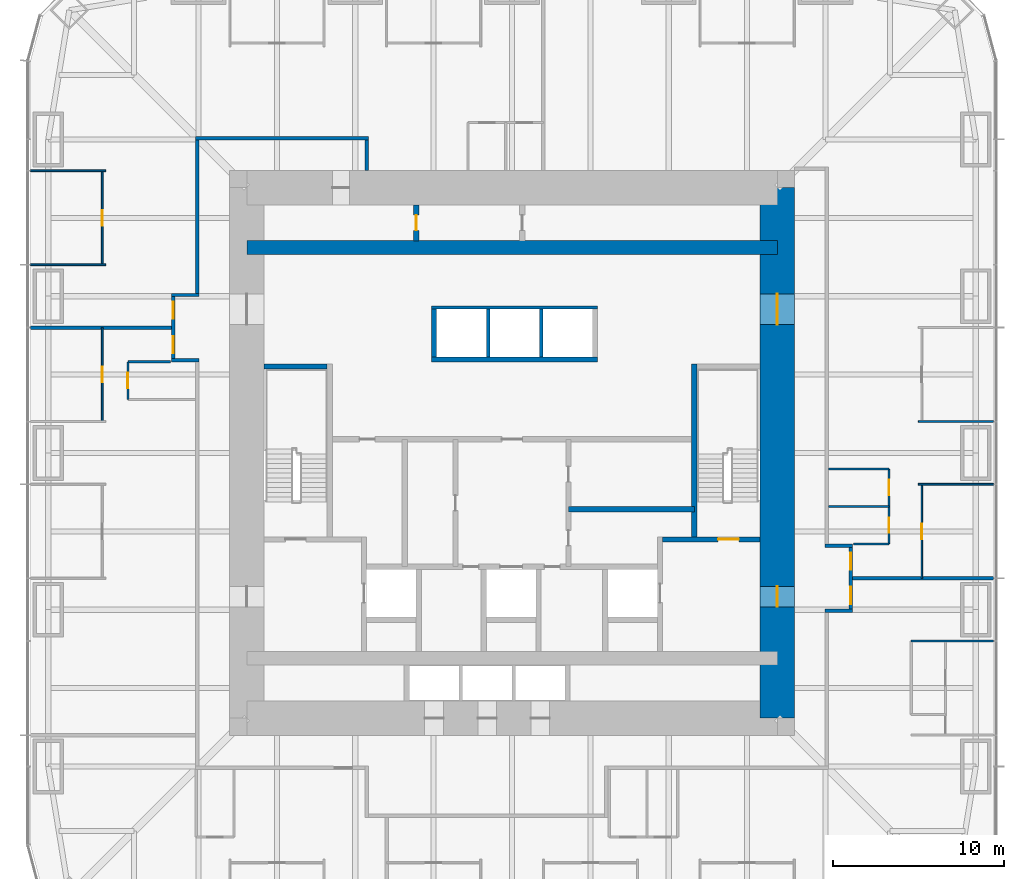
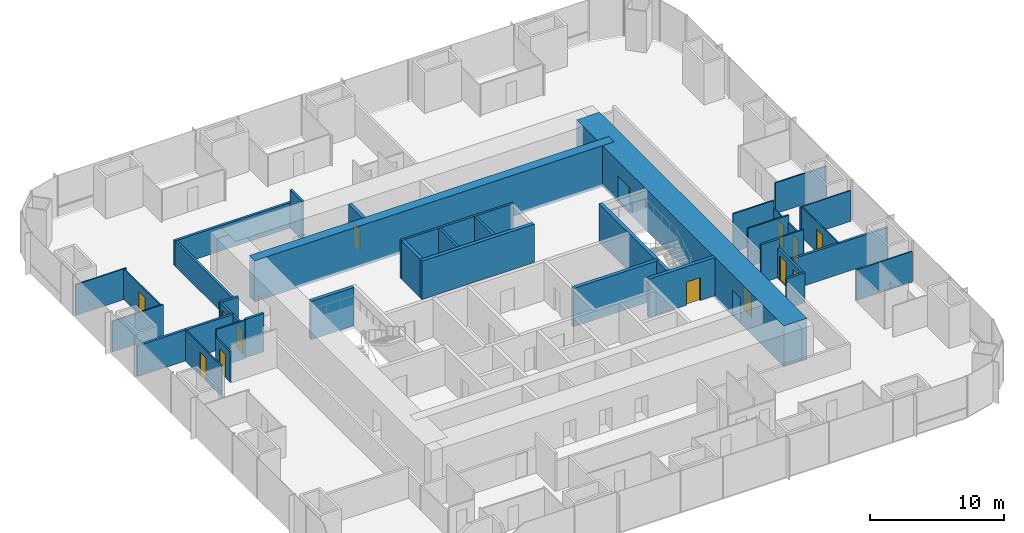
# One storey, part 9 of 11: 37 walls, 14 doors, 14 openings.
"""IFC4 building model written with IfcOpenShell, lengths in metres."""

from ifc_helpers import new_model, si_unit, direction, frame, frame_2d, origin, place, context, subcontext, project, spatial, rectangle, extrude, material, layer, layer_set, type_object, element, fill, save


model = new_model("IFC4")

# Units and contexts
model_context = context("Model", 3, precision=1e-05, world=origin(), true_north=direction((0.0, 1.0)))
body_context = subcontext(model_context, "Body", "Model", "MODEL_VIEW")
ifc_project = project(units=[si_unit("LENGTHUNIT", "METRE"), si_unit("AREAUNIT", "SQUARE_METRE"), si_unit("VOLUMEUNIT", "CUBIC_METRE"), si_unit("PLANEANGLEUNIT", "RADIAN"), si_unit("MASSUNIT", "GRAM", prefix="KILO")], contexts=[model_context])

# Site, building, storey
site_placement = place(None, origin())
site = spatial("IfcSite", under=ifc_project, at=site_placement, CompositionType="ELEMENT")
building_placement = place(site_placement, origin())
building = spatial("IfcBuilding", under=site, at=building_placement, Name="Khuree Lantern Residences", CompositionType="ELEMENT")
storey_placement = place(building_placement, frame((0.0, 0.0, 174.75)))
storey = spatial("IfcBuildingStorey", under=building, at=storey_placement, Name="L44", CompositionType="ELEMENT", Elevation=174.75)

# Wall, openings, doors
ifc_material_1 = material(Name="Moisture-resistant gypsum board on steel studs", Category="steel")
ifc_layer_1 = layer(ifc_material_1, 0.125)
ifc_layer_set_1 = layer_set([ifc_layer_1], Name="BATHROOM WALL BTW125")
wall_type_1 = type_object("IfcWallType", Name="BATHROOM WALL BTW125", PredefinedType="PARTITIONING", material=ifc_layer_set_1)
wall_1_placement = place(storey_placement, frame((22.02978515625, -5.327880859375, 0.0), z_axis=(0.0, 0.0, 1.0), x_axis=(0.0, 1.0, 0.0)))
wall_1 = element("IfcWall", 1, at=wall_1_placement, inside=storey, type_object=wall_type_1, Name="L44 BATHROOM WALL 01", PredefinedType="PARTITIONING", context=body_context, shape_type="SweptSolid", body=[
    extrude(rectangle(XDim=4.39990234375, YDim=0.125, at=frame_2d((2.199951171875, 0.0))), origin(), (0.0, 0.0, 1.0), 2.81005859375),
])
opening_1_placement = place(wall_1_placement, frame((0.64990234375, 0.0, 0.0)))
opening_1 = element("IfcOpeningElement", 2, at=opening_1_placement, cuts=wall_1, Name="Opening 44-026", PredefinedType="OPENING", context=body_context, shape_type="SweptSolid", body=[
    extrude(rectangle(XDim=0.89990234375, YDim=2.10009765625, at=frame_2d((0.449951171875, 1.050048828125))), frame((0.0, 0.072509765625, 0.0), z_axis=(0.0, -1.0, 0.0), x_axis=(1.0, 0.0, 0.0)), (0.0, 0.0, 1.0), 0.14501953125),
])
opening_2_placement = place(wall_1_placement, frame((2.85009765625, 0.0, 0.0)))
opening_2 = element("IfcOpeningElement", 3, at=opening_2_placement, cuts=wall_1, Name="Opening 44-027", PredefinedType="OPENING", context=body_context, shape_type="SweptSolid", body=[
    extrude(rectangle(XDim=0.89990234375, YDim=2.10009765625, at=frame_2d((0.449951171875, 1.050048828125))), frame((0.0, 0.072509765625, 0.0), z_axis=(0.0, -1.0, 0.0), x_axis=(1.0, 0.0, 0.0)), (0.0, 0.0, 1.0), 0.14501953125),
])
ifc_material_2 = material(Name="Timber door leaf in hardwood frame", Category="wood")
door_type_1 = type_object("IfcDoorType", Name="BATHROOM DOOR 900X2100", OperationType="SINGLE_SWING_LEFT", PredefinedType="DOOR", material=ifc_material_2)
door_1_placement = place(opening_1_placement, origin())
door_1 = element("IfcDoor", 4, at=door_1_placement, inside=storey, type_object=door_type_1, Name="Bathroom door 44-026", OperationType="SINGLE_SWING_LEFT", OverallHeight=2.10009765625, OverallWidth=0.89990234375, PredefinedType="DOOR", context=body_context, shape_type="SweptSolid", body=[
    extrude(rectangle(XDim=0.89990234375, YDim=2.10009765625, at=frame_2d((0.449951171875, 1.050048828125))), frame((0.0, 0.02490234375, 0.0), z_axis=(0.0, -1.0, 0.0), x_axis=(1.0, 0.0, 0.0)), (0.0, 0.0, 1.0), 0.050048828125),
])
fill(opening_1, door_1)
door_2_placement = place(opening_2_placement, origin())
door_2 = element("IfcDoor", 5, at=door_2_placement, inside=storey, type_object=door_type_1, Name="Bathroom door 44-027", OperationType="SINGLE_SWING_LEFT", OverallHeight=2.10009765625, OverallWidth=0.89990234375, PredefinedType="DOOR", context=body_context, shape_type="SweptSolid", body=[
    extrude(rectangle(XDim=0.89990234375, YDim=2.10009765625, at=frame_2d((0.449951171875, 1.050048828125))), frame((0.0, 0.02490234375, 0.0), z_axis=(0.0, -1.0, 0.0), x_axis=(1.0, 0.0, 0.0)), (0.0, 0.0, 1.0), 0.050048828125),
])
fill(opening_2, door_2)

# Walls
wall_2_placement = place(storey_placement, frame((19.969970703125, -5.327880859375, 0.0), z_axis=(0.0, 0.0, 1.0), x_axis=(1.0, 0.0, 0.0)))
element("IfcWall", 6, at=wall_2_placement, inside=storey, type_object=wall_type_1, Name="L44 BATHROOM WALL 01", PredefinedType="PARTITIONING", context=body_context, shape_type="SweptSolid", body=[
    extrude(rectangle(XDim=2.059814453125, YDim=0.125, at=frame_2d((1.02978515625, 0.0))), origin(), (0.0, 0.0, 1.0), 3.5),
])
for number, where, z_axis, x_axis, name in (
    (7, (18.5, -3.1279296875, 0.0), (0.0, 0.0, 1.0), (1.0, 0.0, 0.0), "L44 BATHROOM WALL 01"),
    (8, (18.5, -0.927978515625, 0.0), (0.0, 0.0, 1.0), (1.0, 0.0, 0.0), "L44 BATHROOM WALL 01"),
):
    element("IfcWall", number, at=place(storey_placement, frame(where, z_axis=z_axis, x_axis=x_axis)), inside=storey, type_object=wall_type_1, Name=name, PredefinedType="PARTITIONING", context=body_context, shape_type="SweptSolid", body=[
        extrude(rectangle(XDim=3.52978515625, YDim=0.125, at=frame_2d((1.764892578125, 0.0))), origin(), (0.0, 0.0, 1.0), 3.5),
    ])

# Wall, opening, door
wall_3_placement = place(storey_placement, frame((-22.449951171875, 5.327880859375, 0.0), z_axis=(0.0, 0.0, 1.0), x_axis=(0.0, -1.0, 0.0)))
wall_3 = element("IfcWall", 9, at=wall_3_placement, inside=storey, type_object=wall_type_1, Name="L44 BATHROOM WALL 03", PredefinedType="PARTITIONING", context=body_context, shape_type="SweptSolid", body=[
    extrude(rectangle(XDim=2.199951171875, YDim=0.125, at=frame_2d((1.10009765625, 0.0))), origin(), (0.0, 0.0, 1.0), 2.81005859375),
])
opening_3_placement = place(wall_3_placement, frame((0.64990234375, 0.0, 0.0)))
opening_3 = element("IfcOpeningElement", 10, at=opening_3_placement, cuts=wall_3, Name="Opening 44-037", PredefinedType="OPENING", context=body_context, shape_type="SweptSolid", body=[
    extrude(rectangle(XDim=0.89990234375, YDim=2.10009765625, at=frame_2d((0.449951171875, 1.050048828125))), frame((0.0, 0.072509765625, 0.0), z_axis=(0.0, -1.0, 0.0), x_axis=(1.0, 0.0, 0.0)), (0.0, 0.0, 1.0), 0.14501953125),
])
door_3_placement = place(opening_3_placement, origin())
door_3 = element("IfcDoor", 11, at=door_3_placement, inside=storey, type_object=door_type_1, Name="Bathroom door 44-037", OperationType="SINGLE_SWING_LEFT", OverallHeight=2.10009765625, OverallWidth=0.89990234375, PredefinedType="DOOR", context=body_context, shape_type="SweptSolid", body=[
    extrude(rectangle(XDim=0.89990234375, YDim=2.10009765625, at=frame_2d((0.449951171875, 1.050048828125))), frame((0.0, 0.02490234375, 0.0), z_axis=(0.0, -1.0, 0.0), x_axis=(1.0, 0.0, 0.0)), (0.0, 0.0, 1.0), 0.050048828125),
])
fill(opening_3, door_3)

# Walls
wall_4_placement = place(storey_placement, frame((-19.969970703125, 5.327880859375, 0.0), z_axis=(0.0, 0.0, 1.0), x_axis=(-1.0, 0.0, 0.0)))
element("IfcWall", 12, at=wall_4_placement, inside=storey, type_object=wall_type_1, Name="L44 BATHROOM WALL 03", PredefinedType="PARTITIONING", context=body_context, shape_type="SweptSolid", body=[
    extrude(rectangle(XDim=2.47998046875, YDim=0.125, at=frame_2d((1.239990234375, 0.0))), origin(), (0.0, 0.0, 1.0), 3.5),
])
ifc_material_3 = material(Name="Dense concrete blockwork", Category="masonry")
ifc_layer_2 = layer(ifc_material_3, 0.300048828125)
ifc_layer_set_2 = layer_set([ifc_layer_2], Name="CORE PARTITION WALL CPW300 EI 120")
wall_type_2 = type_object("IfcWallType", Name="CORE PARTITION WALL CPW300 EI 120", PredefinedType="PARTITIONING", material=ifc_layer_set_2)
wall_5_placement = place(storey_placement, frame((-4.699951171875, 5.449951171875, 0.0), z_axis=(0.0, 0.0, 1.0), x_axis=(1.0, 0.0, 0.0)))
element("IfcWall", 13, at=wall_5_placement, inside=storey, type_object=wall_type_2, Name="L44 CORE WALL PHS", PredefinedType="PARTITIONING", context=body_context, shape_type="SweptSolid", body=[
    extrude(rectangle(XDim=9.699951171875, YDim=0.300048828125, at=frame_2d((4.85009765625, 0.0))), origin(), (0.0, 0.0, 1.0), 3.5),
])
wall_6_placement = place(storey_placement, frame((-4.550048828125, 5.60009765625, 0.0), z_axis=(0.0, 0.0, 1.0), x_axis=(0.0, 1.0, 0.0)))
element("IfcWall", 14, at=wall_6_placement, inside=storey, type_object=wall_type_2, Name="L44 CORE WALL PHW", PredefinedType="PARTITIONING", context=body_context, shape_type="SweptSolid", body=[
    extrude(rectangle(XDim=2.7998046875, YDim=0.300048828125, at=frame_2d((1.39990234375, 0.0))), origin(), (0.0, 0.0, 1.0), 3.5),
])
wall_7_placement = place(storey_placement, frame((10.64990234375, -3.2880859375, 0.0), z_axis=(0.0, 0.0, 1.0), x_axis=(-1.0, 0.0, 0.0)))
element("IfcWall", 15, at=wall_7_placement, inside=storey, type_object=wall_type_2, Name="L44 CORE WALL EX", PredefinedType="PARTITIONING", context=body_context, shape_type="SweptSolid", body=[
    extrude(rectangle(XDim=7.349853515625, YDim=0.300048828125, at=frame_2d((3.6748046875, 0.0))), origin(), (0.0, 0.0, 1.0), 3.5),
])

# Wall, opening, door
wall_8_placement = place(storey_placement, frame((-5.60009765625, 12.39990234375, 0.0), z_axis=(0.0, 0.0, 1.0), x_axis=(0.0, 1.0, 0.0)))
wall_8 = element("IfcWall", 16, at=wall_8_placement, inside=storey, type_object=wall_type_2, Name="L44 CORE WALL PLX", PredefinedType="PARTITIONING", context=body_context, shape_type="SweptSolid", body=[
    extrude(rectangle(XDim=2.10009765625, YDim=0.300048828125, at=frame_2d((1.050048828125, 0.0))), origin(), (0.0, 0.0, 1.0), 3.5),
])
opening_4_placement = place(wall_8_placement, frame((0.60009765625, 0.0, 0.0)))
opening_4 = element("IfcOpeningElement", 17, at=opening_4_placement, cuts=wall_8, Name="Opening 44-020", PredefinedType="OPENING", context=body_context, shape_type="SweptSolid", body=[
    extrude(rectangle(XDim=0.89990234375, YDim=2.10009765625, at=frame_2d((0.449951171875, 1.050048828125))), frame((0.0, 0.16015625, 0.0), z_axis=(0.0, -1.0, 0.0), x_axis=(1.0, 0.0, 0.0)), (0.0, 0.0, 1.0), 0.320068359375),
])
door_type_2 = type_object("IfcDoorType", Name="DOOR 900X2100", OperationType="SINGLE_SWING_LEFT", PredefinedType="DOOR", material=ifc_material_2)
door_4_placement = place(opening_4_placement, origin())
door_4 = element("IfcDoor", 18, at=door_4_placement, inside=storey, type_object=door_type_2, Name="Maintenance store door 44-020", OperationType="SINGLE_SWING_LEFT", OverallHeight=2.10009765625, OverallWidth=0.89990234375, PredefinedType="DOOR", context=body_context, shape_type="SweptSolid", body=[
    extrude(rectangle(XDim=0.89990234375, YDim=2.10009765625, at=frame_2d((0.449951171875, 1.050048828125))), frame((0.0, 0.02490234375, 0.0), z_axis=(0.0, -1.0, 0.0), x_axis=(1.0, 0.0, 0.0)), (0.0, 0.0, 1.0), 0.050048828125),
])
fill(opening_4, door_4)

# Walls
ifc_material_4 = material(Name="Gypsum board on steel studs", Category="steel")
ifc_layer_3 = layer(ifc_material_4, 0.199951171875)
ifc_layer_set_3 = layer_set([ifc_layer_3], Name="CORRIDOR WALL CRW200 EI 60")
wall_type_3 = type_object("IfcWallType", Name="CORRIDOR WALL CRW200 EI 60", PredefinedType="PARTITIONING", material=ifc_layer_set_3)
wall_9_placement = place(storey_placement, frame((-18.5, 18.39990234375, 0.0), z_axis=(0.0, 0.0, 1.0), x_axis=(1.0, 0.0, 0.0)))
element("IfcWall", 19, at=wall_9_placement, inside=storey, type_object=wall_type_3, Name="L44 CORRIDOR WALL NORTH", PredefinedType="PARTITIONING", context=body_context, shape_type="SweptSolid", body=[
    extrude(rectangle(XDim=10.10009765625, YDim=0.199951171875, at=frame_2d((5.050048828125, 0.0))), origin(), (0.0, 0.0, 1.0), 2.300048828125),
])
wall_10_placement = place(storey_placement, frame((-8.5, 18.300048828125, 0.0), z_axis=(0.0, 0.0, 1.0), x_axis=(0.0, -1.0, 0.0)))
element("IfcWall", 20, at=wall_10_placement, inside=storey, type_object=wall_type_3, Name="L44 NORTH CORRIDOR END WALL", PredefinedType="PARTITIONING", context=body_context, shape_type="SweptSolid", body=[
    extrude(rectangle(XDim=1.800048828125, YDim=0.199951171875, at=frame_2d((0.89990234375, 0.0))), origin(), (0.0, 0.0, 1.0), 3.5),
])
wall_11_placement = place(storey_placement, frame((18.300048828125, -9.22802734375, 0.0), z_axis=(0.0, 0.0, 1.0), x_axis=(1.0, 0.0, 0.0)))
element("IfcWall", 21, at=wall_11_placement, inside=storey, type_object=wall_type_3, Name="L44 CORRIDOR ALCOVE WALL EAST", PredefinedType="PARTITIONING", context=body_context, shape_type="SweptSolid", body=[
    extrude(rectangle(XDim=1.599853515625, YDim=0.199951171875, at=frame_2d((0.7998046875, 0.0))), origin(), (0.0, 0.0, 1.0), 2.699951171875),
])
wall_12_placement = place(storey_placement, frame((18.300048828125, -5.427978515625, 0.0), z_axis=(0.0, 0.0, 1.0), x_axis=(1.0, 0.0, 0.0)))
element("IfcWall", 22, at=wall_12_placement, inside=storey, type_object=wall_type_3, Name="L44 CORRIDOR ALCOVE WALL EAST", PredefinedType="PARTITIONING", context=body_context, shape_type="SweptSolid", body=[
    extrude(rectangle(XDim=1.599853515625, YDim=0.199951171875, at=frame_2d((0.7998046875, 0.0))), origin(), (0.0, 0.0, 1.0), 3.5),
])

# Wall, openings, doors
wall_13_placement = place(storey_placement, frame((19.800048828125, -9.1279296875, 0.0), z_axis=(0.0, 0.0, 1.0), x_axis=(0.0, 1.0, 0.0)))
wall_13 = element("IfcWall", 23, at=wall_13_placement, inside=storey, type_object=wall_type_3, Name="L44 CORRIDOR ALCOVE WALL EAST", PredefinedType="PARTITIONING", context=body_context, shape_type="SweptSolid", body=[
    extrude(rectangle(XDim=3.599853515625, YDim=0.199951171875, at=frame_2d((1.7998046875, 0.0))), origin(), (0.0, 0.0, 1.0), 2.699951171875),
])
opening_5_placement = place(wall_13_placement, frame((2.300048828125, 0.0, 0.0)))
opening_5 = element("IfcOpeningElement", 24, at=opening_5_placement, cuts=wall_13, Name="Opening 44-028", PredefinedType="OPENING", context=body_context, shape_type="SweptSolid", body=[
    extrude(rectangle(XDim=1.0, YDim=2.199951171875, at=frame_2d((0.5, 1.10009765625))), frame((0.0, 0.10986328125, 0.0), z_axis=(0.0, -1.0, 0.0), x_axis=(1.0, 0.0, 0.0)), (0.0, 0.0, 1.0), 0.219970703125),
])
opening_6_placement = place(wall_13_placement, frame((0.300048828125, 0.0, 0.0)))
opening_6 = element("IfcOpeningElement", 25, at=opening_6_placement, cuts=wall_13, Name="Opening 44-049", PredefinedType="OPENING", context=body_context, shape_type="SweptSolid", body=[
    extrude(rectangle(XDim=1.0, YDim=2.199951171875, at=frame_2d((0.5, 1.10009765625))), frame((0.0, 0.10986328125, 0.0), z_axis=(0.0, -1.0, 0.0), x_axis=(1.0, 0.0, 0.0)), (0.0, 0.0, 1.0), 0.219970703125),
])
door_type_3 = type_object("IfcDoorType", Name="APARTMENT ENTRANCE DOOR 1000X2200 EI 30S", OperationType="SINGLE_SWING_LEFT", PredefinedType="DOOR", material=ifc_material_2)
door_5_placement = place(opening_6_placement, origin())
door_5 = element("IfcDoor", 26, at=door_5_placement, inside=storey, type_object=door_type_3, Name="Apartment 05 entrance door 44-049", OperationType="SINGLE_SWING_LEFT", OverallHeight=2.199951171875, OverallWidth=1.0, PredefinedType="DOOR", context=body_context, shape_type="SweptSolid", body=[
    extrude(rectangle(XDim=1.0, YDim=2.199951171875, at=frame_2d((0.5, 1.10009765625))), frame((0.0, 0.02490234375, 0.0), z_axis=(0.0, -1.0, 0.0), x_axis=(1.0, 0.0, 0.0)), (0.0, 0.0, 1.0), 0.050048828125),
])
fill(opening_6, door_5)
door_type_4 = type_object("IfcDoorType", Name="APARTMENT ENTRANCE DOOR 1000X2200 EI 30S RIGHT HAND", OperationType="SINGLE_SWING_RIGHT", PredefinedType="DOOR", material=ifc_material_2)
door_6_placement = place(opening_5_placement, origin())
door_6 = element("IfcDoor", 27, at=door_6_placement, inside=storey, type_object=door_type_4, Name="Apartment 01 entrance door 44-028", OperationType="SINGLE_SWING_RIGHT", OverallHeight=2.199951171875, OverallWidth=1.0, PredefinedType="DOOR", context=body_context, shape_type="SweptSolid", body=[
    extrude(rectangle(XDim=1.0, YDim=2.199951171875, at=frame_2d((0.5, 1.10009765625))), frame((0.0, 0.02490234375, 0.0), z_axis=(0.0, -1.0, 0.0), x_axis=(1.0, 0.0, 0.0)), (0.0, 0.0, 1.0), 0.050048828125),
])
fill(opening_5, door_6)

# Walls
wall_14_placement = place(storey_placement, frame((-18.39990234375, 18.300048828125, 0.0), z_axis=(0.0, 0.0, 1.0), x_axis=(0.0, -1.0, 0.0)))
element("IfcWall", 28, at=wall_14_placement, inside=storey, type_object=wall_type_3, Name="L44 CORRIDOR WALL WEST 1", PredefinedType="PARTITIONING", context=body_context, shape_type="SweptSolid", body=[
    extrude(rectangle(XDim=8.97216796875, YDim=0.199951171875, at=frame_2d((4.486083984375, 0.0))), origin(), (0.0, 0.0, 1.0), 2.300048828125),
])
wall_15_placement = place(storey_placement, frame((-18.300048828125, 9.22802734375, 0.0), z_axis=(0.0, 0.0, 1.0), x_axis=(-1.0, 0.0, 0.0)))
element("IfcWall", 29, at=wall_15_placement, inside=storey, type_object=wall_type_3, Name="L44 CORRIDOR ALCOVE WALL WEST", PredefinedType="PARTITIONING", context=body_context, shape_type="SweptSolid", body=[
    extrude(rectangle(XDim=1.599853515625, YDim=0.199951171875, at=frame_2d((0.7998046875, 0.0))), origin(), (0.0, 0.0, 1.0), 2.699951171875),
])
wall_16_placement = place(storey_placement, frame((-18.300048828125, 5.427978515625, 0.0), z_axis=(0.0, 0.0, 1.0), x_axis=(-1.0, 0.0, 0.0)))
element("IfcWall", 30, at=wall_16_placement, inside=storey, type_object=wall_type_3, Name="L44 CORRIDOR ALCOVE WALL WEST", PredefinedType="PARTITIONING", context=body_context, shape_type="SweptSolid", body=[
    extrude(rectangle(XDim=1.599853515625, YDim=0.199951171875, at=frame_2d((0.7998046875, 0.0))), origin(), (0.0, 0.0, 1.0), 3.5),
])

# Wall, openings, doors
wall_17_placement = place(storey_placement, frame((-19.800048828125, 9.1279296875, 0.0), z_axis=(0.0, 0.0, 1.0), x_axis=(0.0, -1.0, 0.0)))
wall_17 = element("IfcWall", 31, at=wall_17_placement, inside=storey, type_object=wall_type_3, Name="L44 CORRIDOR ALCOVE WALL WEST", PredefinedType="PARTITIONING", context=body_context, shape_type="SweptSolid", body=[
    extrude(rectangle(XDim=3.599853515625, YDim=0.199951171875, at=frame_2d((1.7998046875, 0.0))), origin(), (0.0, 0.0, 1.0), 2.699951171875),
])
opening_7_placement = place(wall_17_placement, frame((0.300048828125, 0.0, 0.0)))
opening_7 = element("IfcOpeningElement", 32, at=opening_7_placement, cuts=wall_17, Name="Opening 44-034", PredefinedType="OPENING", context=body_context, shape_type="SweptSolid", body=[
    extrude(rectangle(XDim=1.0, YDim=2.199951171875, at=frame_2d((0.5, 1.10009765625))), frame((0.0, 0.10986328125, 0.0), z_axis=(0.0, -1.0, 0.0), x_axis=(1.0, 0.0, 0.0)), (0.0, 0.0, 1.0), 0.219970703125),
])
opening_8_placement = place(wall_17_placement, frame((2.300048828125, 0.0, 0.0)))
opening_8 = element("IfcOpeningElement", 33, at=opening_8_placement, cuts=wall_17, Name="Opening 44-038", PredefinedType="OPENING", context=body_context, shape_type="SweptSolid", body=[
    extrude(rectangle(XDim=1.0, YDim=2.199951171875, at=frame_2d((0.5, 1.10009765625))), frame((0.0, 0.10986328125, 0.0), z_axis=(0.0, -1.0, 0.0), x_axis=(1.0, 0.0, 0.0)), (0.0, 0.0, 1.0), 0.219970703125),
])
door_7_placement = place(opening_7_placement, origin())
door_7 = element("IfcDoor", 34, at=door_7_placement, inside=storey, type_object=door_type_3, Name="Apartment 02 entrance door 44-034", OperationType="SINGLE_SWING_LEFT", OverallHeight=2.199951171875, OverallWidth=1.0, PredefinedType="DOOR", context=body_context, shape_type="SweptSolid", body=[
    extrude(rectangle(XDim=1.0, YDim=2.199951171875, at=frame_2d((0.5, 1.10009765625))), frame((0.0, 0.02490234375, 0.0), z_axis=(0.0, -1.0, 0.0), x_axis=(1.0, 0.0, 0.0)), (0.0, 0.0, 1.0), 0.050048828125),
])
fill(opening_7, door_7)
door_8_placement = place(opening_8_placement, origin())
door_8 = element("IfcDoor", 35, at=door_8_placement, inside=storey, type_object=door_type_4, Name="Apartment 03 entrance door 44-038", OperationType="SINGLE_SWING_RIGHT", OverallHeight=2.199951171875, OverallWidth=1.0, PredefinedType="DOOR", context=body_context, shape_type="SweptSolid", body=[
    extrude(rectangle(XDim=1.0, YDim=2.199951171875, at=frame_2d((0.5, 1.10009765625))), frame((0.0, 0.02490234375, 0.0), z_axis=(0.0, -1.0, 0.0), x_axis=(1.0, 0.0, 0.0)), (0.0, 0.0, 1.0), 0.050048828125),
])
fill(opening_8, door_8)

ifc_material_5 = material(Name="Concrete C70/85", Category="concrete")
ifc_layer_4 = layer(ifc_material_5, 2.0)
ifc_layer_set_4 = layer_set([ifc_layer_4], Name="CW2000-C70 CORE WALL C70 2000")
wall_type_4 = type_object("IfcWallType", Name="CW2000-C70 CORE WALL C70 2000", PredefinedType="SHEAR", material=ifc_layer_set_4)
wall_18_placement = place(storey_placement, frame((15.5, -15.5, -0.25), z_axis=(0.0, 0.0, 1.0), x_axis=(0.0, 1.0, 0.0)))
wall_18 = element("IfcWall", 36, at=wall_18_placement, inside=storey, type_object=wall_type_4, Name="Core wall E", PredefinedType="SHEAR", context=body_context, shape_type="SweptSolid", body=[
    extrude(rectangle(XDim=31.0, YDim=2.0, at=frame_2d((15.5, 0.0))), origin(), (0.0, 0.0, 1.0), 3.75),
])
opening_9_placement = place(wall_18_placement, frame((6.5, 0.0, 0.25)))
opening_9 = element("IfcOpeningElement", 37, at=opening_9_placement, cuts=wall_18, Name="Opening 44-005", PredefinedType="OPENING", context=body_context, shape_type="SweptSolid", body=[
    extrude(rectangle(XDim=1.199951171875, YDim=2.10009765625, at=frame_2d((0.60009765625, 1.050048828125))), frame((0.0, 1.010009765625, 0.0), z_axis=(0.0, -1.0, 0.0), x_axis=(1.0, 0.0, 0.0)), (0.0, 0.0, 1.0), 2.02001953125),
])
opening_10_placement = place(wall_18_placement, frame((23.0, 0.0, 0.25)))
opening_10 = element("IfcOpeningElement", 38, at=opening_10_placement, cuts=wall_18, Name="Opening 44-006", PredefinedType="OPENING", context=body_context, shape_type="SweptSolid", body=[
    extrude(rectangle(XDim=1.800048828125, YDim=2.10009765625, at=frame_2d((0.89990234375, 1.050048828125))), frame((0.0, 1.010009765625, 0.0), z_axis=(0.0, -1.0, 0.0), x_axis=(1.0, 0.0, 0.0)), (0.0, 0.0, 1.0), 2.02001953125),
])
ifc_material_6 = material(Name="Steel door leaf in steel frame", Category="steel")
door_type_5 = type_object("IfcDoorType", Name="LOBBY DOOR 1200X2100 EI 120", OperationType="SINGLE_SWING_LEFT", PredefinedType="DOOR", material=ifc_material_6)
door_9_placement = place(opening_9_placement, origin())
door_9 = element("IfcDoor", 39, at=door_9_placement, inside=storey, type_object=door_type_5, Name="Firefighting lobby door 44-005", OperationType="SINGLE_SWING_LEFT", OverallHeight=2.10009765625, OverallWidth=1.199951171875, PredefinedType="DOOR", context=body_context, shape_type="SweptSolid", body=[
    extrude(rectangle(XDim=1.199951171875, YDim=2.10009765625, at=frame_2d((0.60009765625, 1.050048828125))), frame((0.0, 0.02490234375, 0.0), z_axis=(0.0, -1.0, 0.0), x_axis=(1.0, 0.0, 0.0)), (0.0, 0.0, 1.0), 0.050048828125),
])
fill(opening_9, door_9)
door_type_6 = type_object("IfcDoorType", Name="LOBBY DOUBLE DOOR 1800X2100 EI 60", OperationType="DOUBLE_DOOR_SINGLE_SWING", PredefinedType="DOOR", material=ifc_material_6)
door_10_placement = place(opening_10_placement, origin())
door_10 = element("IfcDoor", 40, at=door_10_placement, inside=storey, type_object=door_type_6, Name="Lift lobby door 44-006", OperationType="DOUBLE_DOOR_SINGLE_SWING", OverallHeight=2.10009765625, OverallWidth=1.800048828125, PredefinedType="DOOR", context=body_context, shape_type="SweptSolid", body=[
    extrude(rectangle(XDim=1.800048828125, YDim=2.10009765625, at=frame_2d((0.89990234375, 1.050048828125))), frame((0.0, 0.02490234375, 0.0), z_axis=(0.0, -1.0, 0.0), x_axis=(1.0, 0.0, 0.0)), (0.0, 0.0, 1.0), 0.050048828125),
])
fill(opening_10, door_10)

# Walls
ifc_layer_5 = layer(ifc_material_4, 0.199951171875)
ifc_layer_set_5 = layer_set([ifc_layer_5], Name="DEMISING WALL DMW200 EI 90")
wall_type_5 = type_object("IfcWallType", Name="DEMISING WALL DMW200 EI 90", PredefinedType="PARTITIONING", material=ifc_layer_set_5)
for number, where, z_axis, x_axis, name in (
    (41, (19.89990234375, -7.327880859375, 0.0), (0.0, 0.0, 1.0), (1.0, 0.0, 0.0), "L44 DEMISING WALL 01"),
    (42, (-19.89990234375, 7.327880859375, 0.0), (0.0, 0.0, 1.0), (-1.0, 0.0, 0.0), "L44 DEMISING WALL 03"),
):
    element("IfcWall", number, at=place(storey_placement, frame(where, z_axis=z_axis, x_axis=x_axis)), inside=storey, type_object=wall_type_5, Name=name, PredefinedType="PARTITIONING", context=body_context, shape_type="SweptSolid", body=[
        extrude(rectangle(XDim=8.25, YDim=0.199951171875, at=frame_2d((4.125, 0.0))), origin(), (0.0, 0.0, 1.0), 2.81005859375),
    ])
ifc_layer_6 = layer(ifc_material_4, 0.10009765625)
ifc_layer_set_6 = layer_set([ifc_layer_6], Name="PARTITION PT100")
wall_type_6 = type_object("IfcWallType", Name="PARTITION PT100", PredefinedType="PARTITIONING", material=ifc_layer_set_6)
for number, where, z_axis, x_axis, name in (
    (43, (23.75, -1.83203125, 0.0), (0.0, 0.0, 1.0), (1.0, 0.0, 0.0), "L44 PARTITION 01"),
    (44, (23.75, 1.83203125, 0.0), (0.0, 0.0, 1.0), (1.0, 0.0, 0.0), "L44 PARTITION 01"),
    (45, (-23.75, 16.488037109375, 0.0), (0.0, 0.0, 1.0), (-1.0, 0.0, 0.0), "L44 PARTITION 02"),
    (46, (-23.75, 10.991943359375, 0.0), (0.0, 0.0, 1.0), (-1.0, 0.0, 0.0), "L44 PARTITION 02"),
):
    element("IfcWall", number, at=place(storey_placement, frame(where, z_axis=z_axis, x_axis=x_axis)), inside=storey, type_object=wall_type_6, Name=name, PredefinedType="PARTITIONING", context=body_context, shape_type="SweptSolid", body=[
        extrude(rectangle(XDim=4.39990234375, YDim=0.10009765625, at=frame_2d((2.199951171875, 0.0))), origin(), (0.0, 0.0, 1.0), 2.81005859375),
    ])
wall_19_placement = place(storey_placement, frame((23.329833984375, -10.991943359375, 0.0), z_axis=(0.0, 0.0, 1.0), x_axis=(1.0, 0.0, 0.0)))
element("IfcWall", 47, at=wall_19_placement, inside=storey, type_object=wall_type_6, Name="L44 PARTITION 05", PredefinedType="PARTITIONING", context=body_context, shape_type="SweptSolid", body=[
    extrude(rectangle(XDim=4.820068359375, YDim=0.10009765625, at=frame_2d((2.41015625, 0.0))), origin(), (0.0, 0.0, 1.0), 2.81005859375),
])

# Wall, opening, door
wall_20_placement = place(storey_placement, frame((23.949951171875, -7.327880859375, 0.0), z_axis=(0.0, 0.0, 1.0), x_axis=(0.0, 1.0, 0.0)))
wall_20 = element("IfcWall", 48, at=wall_20_placement, inside=storey, type_object=wall_type_6, Name="L44 PARTITION 01", PredefinedType="PARTITIONING", context=body_context, shape_type="SweptSolid", body=[
    extrude(rectangle(XDim=5.495849609375, YDim=0.10009765625, at=frame_2d((2.748046875, 0.0))), origin(), (0.0, 0.0, 1.0), 2.81005859375),
])
opening_11_placement = place(wall_20_placement, frame((2.298095703125, 0.0, 0.0)))
opening_11 = element("IfcOpeningElement", 49, at=opening_11_placement, cuts=wall_20, Name="Opening 44-023", PredefinedType="OPENING", context=body_context, shape_type="SweptSolid", body=[
    extrude(rectangle(XDim=0.89990234375, YDim=2.10009765625, at=frame_2d((0.449951171875, 1.050048828125))), frame((0.0, 0.06005859375, 0.0), z_axis=(0.0, -1.0, 0.0), x_axis=(1.0, 0.0, 0.0)), (0.0, 0.0, 1.0), 0.1201171875),
])
door_type_7 = type_object("IfcDoorType", Name="BEDROOM DOOR 900X2100", OperationType="SINGLE_SWING_LEFT", PredefinedType="DOOR", material=ifc_material_2)
door_11_placement = place(opening_11_placement, origin())
door_11 = element("IfcDoor", 50, at=door_11_placement, inside=storey, type_object=door_type_7, Name="Bedroom door 44-023", OperationType="SINGLE_SWING_LEFT", OverallHeight=2.10009765625, OverallWidth=0.89990234375, PredefinedType="DOOR", context=body_context, shape_type="SweptSolid", body=[
    extrude(rectangle(XDim=0.89990234375, YDim=2.10009765625, at=frame_2d((0.449951171875, 1.050048828125))), frame((0.0, 0.02490234375, 0.0), z_axis=(0.0, -1.0, 0.0), x_axis=(1.0, 0.0, 0.0)), (0.0, 0.0, 1.0), 0.050048828125),
])
fill(opening_11, door_11)

wall_21_placement = place(storey_placement, frame((-23.949951171875, 16.488037109375, 0.0), z_axis=(0.0, 0.0, 1.0), x_axis=(0.0, -1.0, 0.0)))
wall_21 = element("IfcWall", 51, at=wall_21_placement, inside=storey, type_object=wall_type_6, Name="L44 PARTITION 02", PredefinedType="PARTITIONING", context=body_context, shape_type="SweptSolid", body=[
    extrude(rectangle(XDim=5.49609375, YDim=0.10009765625, at=frame_2d((2.748046875, 0.0))), origin(), (0.0, 0.0, 1.0), 2.81005859375),
])
opening_12_placement = place(wall_21_placement, frame((2.298095703125, 0.0, 0.0)))
opening_12 = element("IfcOpeningElement", 52, at=opening_12_placement, cuts=wall_21, Name="Opening 44-031", PredefinedType="OPENING", context=body_context, shape_type="SweptSolid", body=[
    extrude(rectangle(XDim=0.89990234375, YDim=2.10009765625, at=frame_2d((0.449951171875, 1.050048828125))), frame((0.0, 0.06005859375, 0.0), z_axis=(0.0, -1.0, 0.0), x_axis=(1.0, 0.0, 0.0)), (0.0, 0.0, 1.0), 0.1201171875),
])
door_12_placement = place(opening_12_placement, origin())
door_12 = element("IfcDoor", 53, at=door_12_placement, inside=storey, type_object=door_type_7, Name="Bedroom door 44-031", OperationType="SINGLE_SWING_LEFT", OverallHeight=2.10009765625, OverallWidth=0.89990234375, PredefinedType="DOOR", context=body_context, shape_type="SweptSolid", body=[
    extrude(rectangle(XDim=0.89990234375, YDim=2.10009765625, at=frame_2d((0.449951171875, 1.050048828125))), frame((0.0, 0.02490234375, 0.0), z_axis=(0.0, -1.0, 0.0), x_axis=(1.0, 0.0, 0.0)), (0.0, 0.0, 1.0), 0.050048828125),
])
fill(opening_12, door_12)

wall_22_placement = place(storey_placement, frame((-23.949951171875, 7.327880859375, 0.0), z_axis=(0.0, 0.0, 1.0), x_axis=(0.0, -1.0, 0.0)))
wall_22 = element("IfcWall", 54, at=wall_22_placement, inside=storey, type_object=wall_type_6, Name="L44 PARTITION 03", PredefinedType="PARTITIONING", context=body_context, shape_type="SweptSolid", body=[
    extrude(rectangle(XDim=5.495849609375, YDim=0.10009765625, at=frame_2d((2.748046875, 0.0))), origin(), (0.0, 0.0, 1.0), 2.81005859375),
])
opening_13_placement = place(wall_22_placement, frame((2.298095703125, 0.0, 0.0)))
opening_13 = element("IfcOpeningElement", 55, at=opening_13_placement, cuts=wall_22, Name="Opening 44-035", PredefinedType="OPENING", context=body_context, shape_type="SweptSolid", body=[
    extrude(rectangle(XDim=0.89990234375, YDim=2.10009765625, at=frame_2d((0.449951171875, 1.050048828125))), frame((0.0, 0.06005859375, 0.0), z_axis=(0.0, -1.0, 0.0), x_axis=(1.0, 0.0, 0.0)), (0.0, 0.0, 1.0), 0.1201171875),
])
door_13_placement = place(opening_13_placement, origin())
door_13 = element("IfcDoor", 56, at=door_13_placement, inside=storey, type_object=door_type_7, Name="Bedroom door 44-035", OperationType="SINGLE_SWING_LEFT", OverallHeight=2.10009765625, OverallWidth=0.89990234375, PredefinedType="DOOR", context=body_context, shape_type="SweptSolid", body=[
    extrude(rectangle(XDim=0.89990234375, YDim=2.10009765625, at=frame_2d((0.449951171875, 1.050048828125))), frame((0.0, 0.02490234375, 0.0), z_axis=(0.0, -1.0, 0.0), x_axis=(1.0, 0.0, 0.0)), (0.0, 0.0, 1.0), 0.050048828125),
])
fill(opening_13, door_13)

# Walls
ifc_layer_7 = layer(ifc_material_3, 0.199951171875)
ifc_layer_set_7 = layer_set([ifc_layer_7], Name="SHAFT WALL SHW200 EI 120")
wall_type_7 = type_object("IfcWallType", Name="SHAFT WALL SHW200 EI 120", PredefinedType="PARTITIONING", material=ifc_layer_set_7)
wall_23_placement = place(storey_placement, frame((-4.699951171875, 8.5, 0.0), z_axis=(0.0, 0.0, 1.0), x_axis=(1.0, 0.0, 0.0)))
element("IfcWall", 57, at=wall_23_placement, inside=storey, type_object=wall_type_7, Name="L44 CORE WALL PHN", PredefinedType="PARTITIONING", context=body_context, shape_type="SweptSolid", body=[
    extrude(rectangle(XDim=9.699951171875, YDim=0.199951171875, at=frame_2d((4.85009765625, 0.0))), origin(), (0.0, 0.0, 1.0), 3.5),
])
for number, where, z_axis, x_axis, name in (
    (58, (-1.39990234375, 5.60009765625, 0.0), (0.0, 0.0, 1.0), (0.0, 1.0, 0.0), "L44 CORE WALL PHD1"),
    (59, (1.699951171875, 5.60009765625, 0.0), (0.0, 0.0, 1.0), (0.0, 1.0, 0.0), "L44 CORE WALL PHD2"),
):
    element("IfcWall", number, at=place(storey_placement, frame(where, z_axis=z_axis, x_axis=x_axis)), inside=storey, type_object=wall_type_7, Name=name, PredefinedType="PARTITIONING", context=body_context, shape_type="SweptSolid", body=[
        extrude(rectangle(XDim=2.7998046875, YDim=0.199951171875, at=frame_2d((1.39990234375, 0.0))), origin(), (0.0, 0.0, 1.0), 3.5),
    ])
ifc_layer_8 = layer(ifc_material_5, 0.800048828125)
ifc_layer_set_8 = layer_set([ifc_layer_8], Name="SP800-C70 CORE SPINE WALL C70 800")
wall_type_8 = type_object("IfcWallType", Name="SP800-C70 CORE SPINE WALL C70 800", PredefinedType="SHEAR", material=ifc_layer_set_8)
wall_24_placement = place(storey_placement, frame((-15.5, 12.0, -0.25), z_axis=(0.0, 0.0, 1.0), x_axis=(1.0, 0.0, 0.0)))
element("IfcWall", 60, at=wall_24_placement, inside=storey, type_object=wall_type_8, Name="Core wall SPN", PredefinedType="SHEAR", context=body_context, shape_type="SweptSolid", body=[
    extrude(rectangle(XDim=31.0, YDim=0.800048828125, at=frame_2d((15.5, 0.0))), origin(), (0.0, 0.0, 1.0), 3.75),
])
ifc_material_7 = material(Name="Concrete C50/60", Category="concrete")
ifc_layer_9 = layer(ifc_material_7, 0.300048828125)
ifc_layer_set_9 = layer_set([ifc_layer_9], Name="STAIR WALL SRW300 C50/60 REI 240")
wall_type_9 = type_object("IfcWallType", Name="STAIR WALL SRW300 C50/60 REI 240", PredefinedType="SOLIDWALL", material=ifc_layer_set_9)
wall_25_placement = place(storey_placement, frame((-14.5, 5.050048828125, 0.0), z_axis=(0.0, 0.0, 1.0), x_axis=(1.0, 0.0, 0.0)))
element("IfcWall", 61, at=wall_25_placement, inside=storey, type_object=wall_type_9, Name="L44 STAIR WALL ST1N", PredefinedType="SOLIDWALL", context=body_context, shape_type="SweptSolid", body=[
    extrude(rectangle(XDim=3.699951171875, YDim=0.300048828125, at=frame_2d((1.85009765625, 0.0))), origin(), (0.0, 0.0, 1.0), 3.5),
])
wall_26_placement = place(storey_placement, frame((10.64990234375, -4.89990234375, 0.0), z_axis=(0.0, 0.0, 1.0), x_axis=(0.0, 1.0, 0.0)))
element("IfcWall", 62, at=wall_26_placement, inside=storey, type_object=wall_type_9, Name="L44 STAIR WALL ST2E", PredefinedType="SOLIDWALL", context=body_context, shape_type="SweptSolid", body=[
    extrude(rectangle(XDim=10.099853515625, YDim=0.300048828125, at=frame_2d((5.0498046875, 0.0))), origin(), (0.0, 0.0, 1.0), 3.5),
])

# Wall, opening, door
wall_27_placement = place(storey_placement, frame((14.5, -5.050048828125, 0.0), z_axis=(0.0, 0.0, 1.0), x_axis=(-1.0, 0.0, 0.0)))
wall_27 = element("IfcWall", 63, at=wall_27_placement, inside=storey, type_object=wall_type_9, Name="L44 STAIR WALL ST2S", PredefinedType="SOLIDWALL", context=body_context, shape_type="SweptSolid", body=[
    extrude(rectangle(XDim=5.699951171875, YDim=0.300048828125, at=frame_2d((2.85009765625, 0.0))), origin(), (0.0, 0.0, 1.0), 3.5),
])
opening_14_placement = place(wall_27_placement, frame((1.25, 0.0, 0.0)))
opening_14 = element("IfcOpeningElement", 64, at=opening_14_placement, cuts=wall_27, Name="Opening 44-004", PredefinedType="OPENING", context=body_context, shape_type="SweptSolid", body=[
    extrude(rectangle(XDim=1.199951171875, YDim=2.10009765625, at=frame_2d((0.60009765625, 1.050048828125))), frame((0.0, 0.16015625, 0.0), z_axis=(0.0, -1.0, 0.0), x_axis=(1.0, 0.0, 0.0)), (0.0, 0.0, 1.0), 0.320068359375),
])
door_type_8 = type_object("IfcDoorType", Name="STAIR DOOR 1200X2100 EI 120", OperationType="SINGLE_SWING_LEFT", PredefinedType="DOOR", material=ifc_material_6)
door_14_placement = place(opening_14_placement, origin())
door_14 = element("IfcDoor", 65, at=door_14_placement, inside=storey, type_object=door_type_8, Name="Stair ST2 door 44-004", OperationType="SINGLE_SWING_LEFT", OverallHeight=2.10009765625, OverallWidth=1.199951171875, PredefinedType="DOOR", context=body_context, shape_type="SweptSolid", body=[
    extrude(rectangle(XDim=1.199951171875, YDim=2.10009765625, at=frame_2d((0.60009765625, 1.050048828125))), frame((0.0, 0.02490234375, 0.0), z_axis=(0.0, -1.0, 0.0), x_axis=(1.0, 0.0, 0.0)), (0.0, 0.0, 1.0), 0.050048828125),
])
fill(opening_14, door_14)

save(model, "model.ifc")
